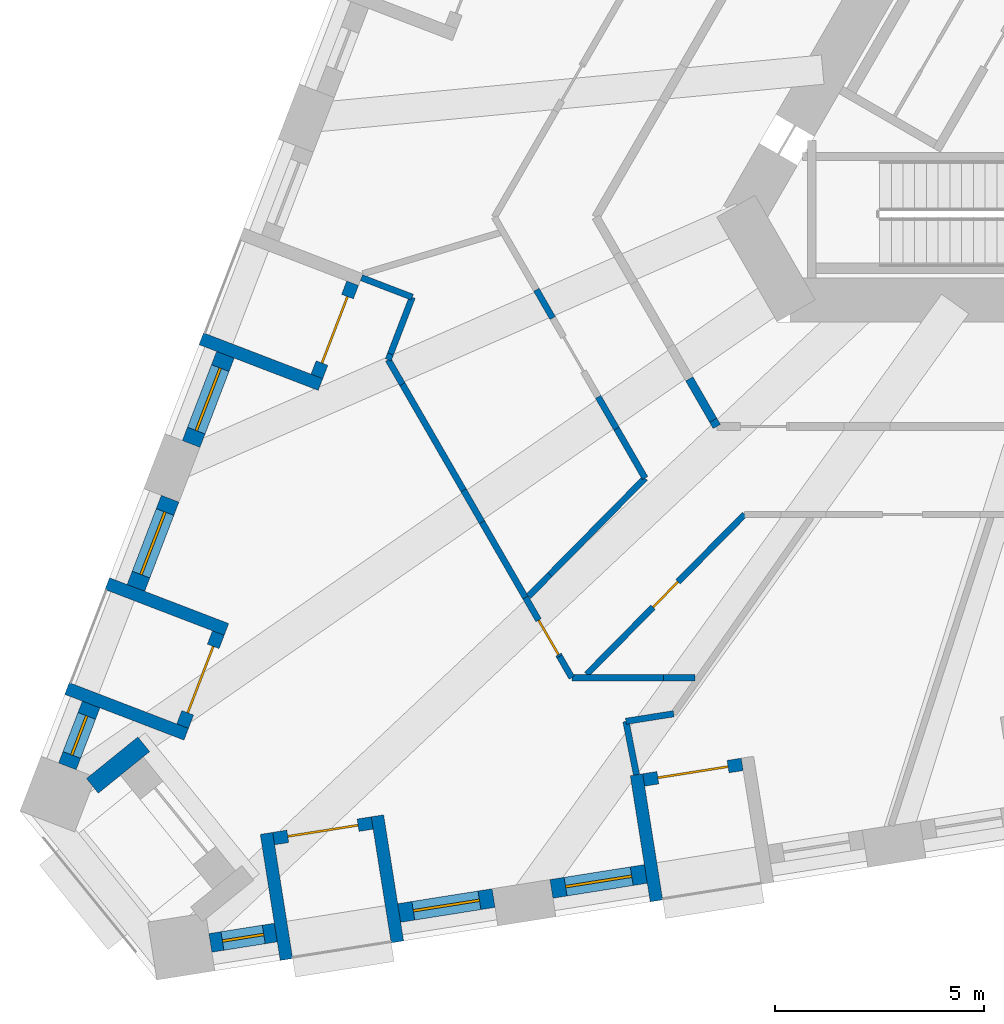
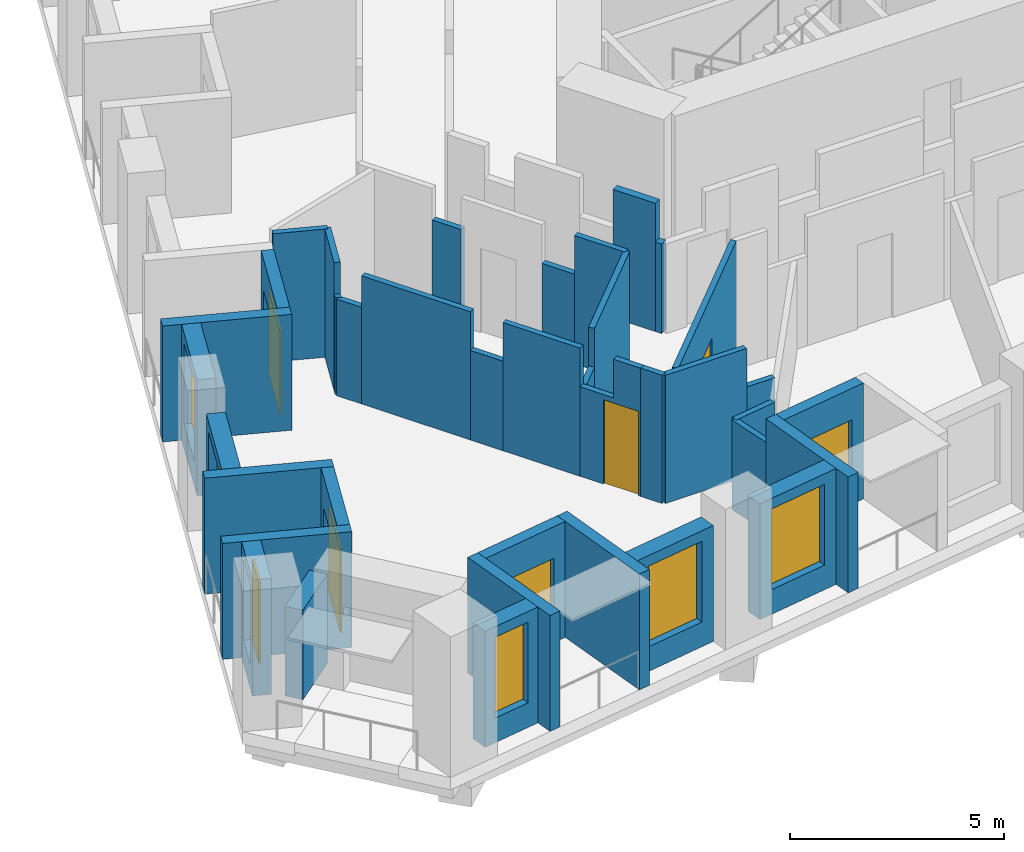
# One storey, part 2 of 14: 38 walls, 6 doors, 6 windows, 12 openings.
"""IFC4 building model written with IfcOpenShell, lengths in metres."""

from ifc_helpers import new_model, si_unit, direction, frame, frame_2d, origin, place, context, subcontext, project, spatial, polyline, rectangle, outline, extrude, material, layer, layer_set, type_object, element, fill, save


model = new_model("IFC4")

# Units and contexts
model_context = context("Model", 3, precision=1e-05, world=origin(), true_north=direction((0.0, 1.0)))
body_context = subcontext(model_context, "Body", "Model", "MODEL_VIEW")
ifc_project = project(units=[si_unit("LENGTHUNIT", "METRE"), si_unit("AREAUNIT", "SQUARE_METRE"), si_unit("VOLUMEUNIT", "CUBIC_METRE"), si_unit("PLANEANGLEUNIT", "RADIAN"), si_unit("MASSUNIT", "GRAM", prefix="KILO")], contexts=[model_context])

# Site, building, storey
site_placement = place(None, origin())
site = spatial("IfcSite", under=ifc_project, at=site_placement, CompositionType="ELEMENT")
building_placement = place(site_placement, origin())
building = spatial("IfcBuilding", under=site, at=building_placement, Name="Tramontana Tower", CompositionType="ELEMENT")
storey_placement = place(building_placement, frame((0.0, 0.0, 75.199951171875)))
storey = spatial("IfcBuildingStorey", under=building, at=storey_placement, Name="L16", CompositionType="ELEMENT", Elevation=75.199951171875)

# Walls
ifc_material_1 = material(Name="Blockwork", Category="masonry")
ifc_layer_1 = layer(ifc_material_1, 0.199951171875)
ifc_layer_set_1 = layer_set([ifc_layer_1], Name="ENTRY WALL 200")
wall_type_1 = type_object("IfcWallType", Name="ENTRY WALL 200", PredefinedType="SOLIDWALL", material=ifc_layer_set_1)
wall_1_placement = place(storey_placement, frame((-10.248046875, -9.25, 0.0), z_axis=(0.0, 0.0, 1.0), x_axis=(-0.499516518495, 0.866304362075, 0.0)))
element("IfcWall", 1, at=wall_1_placement, inside=storey, type_object=wall_type_1, Name="Wall v12-ew3-0", PredefinedType="SOLIDWALL", context=body_context, shape_type="SweptSolid", body=[
    extrude(rectangle(XDim=0.171142578125, YDim=0.199951171875, at=frame_2d((0.08544921875, 0.0))), origin(), (0.0, 0.0, 1.0), 2.550048828125),
])
wall_2_placement = place(storey_placement, frame((-10.33349609375, -9.101806640625, 0.0), z_axis=(0.0, 0.0, 1.0), x_axis=(-0.500049527193, 0.865996807358, 0.0)))
element("IfcWall", 2, at=wall_2_placement, inside=storey, type_object=wall_type_1, Name="Wall v12-ew3-1", PredefinedType="SOLIDWALL", context=body_context, shape_type="SweptSolid", body=[
    extrude(rectangle(XDim=1.1416015625, YDim=0.199951171875, at=frame_2d((0.57080078125, 0.0))), origin(), (0.0, 0.0, 1.0), 3.650146484375),
])

# Wall, opening, window
ifc_material_2 = material(Name="Precast concrete 60 MPa", Category="concrete")
ifc_layer_2 = layer(ifc_material_2, 0.449951171875)
ifc_layer_set_2 = layer_set([ifc_layer_2], Name="Precast concrete 60 MPa, 450 mm")
wall_type_2 = type_object("IfcWallType", Name="EW1 Stone-faced precast wall 450", PredefinedType="SOLIDWALL", material=ifc_layer_set_2)
wall_3_placement = place(storey_placement, frame((-21.986083984375, -7.536376953125, 0.0), z_axis=(0.0, 0.0, 1.0), x_axis=(-0.358355550725, -0.933585185864, 0.0)))
wall_3 = element("IfcWall", 3, at=wall_3_placement, inside=storey, type_object=wall_type_2, Name="External wall L16 face 0 bay 5", PredefinedType="SOLIDWALL", context=body_context, shape_type="SweptSolid", body=[
    extrude(rectangle(XDim=2.282958984375, YDim=0.449951171875, at=frame_2d((1.1416015625, 0.0))), origin(), (0.0, 0.0, 1.0), 3.300048828125),
])
opening_1_placement = place(wall_3_placement, frame((0.341552734375, 0.0, 0.699951171875)))
opening_1 = element("IfcOpeningElement", 4, at=opening_1_placement, cuts=wall_3, Name="Opening M1", PredefinedType="OPENING", context=body_context, shape_type="SweptSolid", body=[
    extrude(rectangle(XDim=1.60009765625, YDim=2.300048828125, at=frame_2d((0.800048828125, 1.14990234375))), frame((0.0, 0.23486328125, 0.0), z_axis=(0.0, -1.0, 0.0), x_axis=(1.0, 0.0, 0.0)), (0.0, 0.0, 1.0), 0.469970703125),
])
ifc_material_3 = material(Name="Aluminum frame, double glazing unit", Category="aluminium")
window_type_1 = type_object("IfcWindowType", Name="M1 Window 1.6 x 2.3", PartitioningType="SINGLE_PANEL", PredefinedType="WINDOW", material=ifc_material_3)
window_1_placement = place(opening_1_placement, origin())
window_1 = element("IfcWindow", 5, at=window_1_placement, inside=storey, type_object=window_type_1, Name="Window M1 L16 face 0 module 15", OverallHeight=2.300048828125, OverallWidth=1.60009765625, PartitioningType="SINGLE_PANEL", PredefinedType="WINDOW", context=body_context, shape_type="SweptSolid", body=[
    extrude(rectangle(XDim=1.60009765625, YDim=2.300048828125, at=frame_2d((0.800048828125, 1.14990234375))), frame((0.0, 0.030029296875, 0.0), z_axis=(0.0, -1.0, 0.0), x_axis=(1.0, 0.0, 0.0)), (0.0, 0.0, 1.0), 0.06005859375),
])
fill(opening_1, window_1)

wall_4_placement = place(storey_placement, frame((-23.305908203125, -10.974609375, 0.0), z_axis=(0.0, 0.0, 1.0), x_axis=(-0.358355550725, -0.933585185864, 0.0)))
wall_4 = element("IfcWall", 6, at=wall_4_placement, inside=storey, type_object=wall_type_2, Name="External wall L16 face 0 bay 6", PredefinedType="SOLIDWALL", context=body_context, shape_type="SweptSolid", body=[
    extrude(rectangle(XDim=2.282958984375, YDim=0.449951171875, at=frame_2d((1.1416015625, 0.0))), origin(), (0.0, 0.0, 1.0), 3.300048828125),
])
opening_2_placement = place(wall_4_placement, frame((0.341552734375, 0.0, 0.699951171875)))
opening_2 = element("IfcOpeningElement", 7, at=opening_2_placement, cuts=wall_4, Name="Opening M1", PredefinedType="OPENING", context=body_context, shape_type="SweptSolid", body=[
    extrude(rectangle(XDim=1.60009765625, YDim=2.300048828125, at=frame_2d((0.800048828125, 1.14990234375))), frame((0.0, 0.23486328125, 0.0), z_axis=(0.0, -1.0, 0.0), x_axis=(1.0, 0.0, 0.0)), (0.0, 0.0, 1.0), 0.469970703125),
])
window_2_placement = place(opening_2_placement, origin())
window_2 = element("IfcWindow", 8, at=window_2_placement, inside=storey, type_object=window_type_1, Name="Window M1 L16 face 0 module 16", OverallHeight=2.300048828125, OverallWidth=1.60009765625, PartitioningType="SINGLE_PANEL", PredefinedType="WINDOW", context=body_context, shape_type="SweptSolid", body=[
    extrude(rectangle(XDim=1.60009765625, YDim=2.300048828125, at=frame_2d((0.800048828125, 1.14990234375))), frame((0.0, 0.030029296875, 0.0), z_axis=(0.0, -1.0, 0.0), x_axis=(1.0, 0.0, 0.0)), (0.0, 0.0, 1.0), 0.06005859375),
])
fill(opening_2, window_2)

wall_5_placement = place(storey_placement, frame((-25.193115234375, -15.890869140625, 0.0), z_axis=(0.0, 0.0, 1.0), x_axis=(-0.358431261356, -0.933556120907, 0.0)))
wall_5 = element("IfcWall", 9, at=wall_5_placement, inside=storey, type_object=wall_type_2, Name="External wall L16 face 0 bay 6", PredefinedType="SOLIDWALL", context=body_context, shape_type="SweptSolid", body=[
    extrude(rectangle(XDim=1.5830078125, YDim=0.449951171875, at=frame_2d((0.79150390625, 0.0))), origin(), (0.0, 0.0, 1.0), 3.300048828125),
])
opening_3_placement = place(wall_5_placement, frame((0.29150390625, 0.0, 0.699951171875)))
opening_3 = element("IfcOpeningElement", 10, at=opening_3_placement, cuts=wall_5, Name="Opening N1", PredefinedType="OPENING", context=body_context, shape_type="SweptSolid", body=[
    extrude(rectangle(XDim=1.0, YDim=2.300048828125, at=frame_2d((0.5, 1.14990234375))), frame((0.0, 0.23486328125, 0.0), z_axis=(0.0, -1.0, 0.0), x_axis=(1.0, 0.0, 0.0)), (0.0, 0.0, 1.0), 0.469970703125),
])
ifc_material_4 = material(Name="Aluminum frame, double glazing unit", Category="aluminium")
window_type_2 = type_object("IfcWindowType", Name="N1 Window 1 x 2.3", PartitioningType="SINGLE_PANEL", PredefinedType="WINDOW", material=ifc_material_4)
window_3_placement = place(opening_3_placement, origin())
window_3 = element("IfcWindow", 11, at=window_3_placement, inside=storey, type_object=window_type_2, Name="Window N1 L16 face 0 module 18", OverallHeight=2.300048828125, OverallWidth=1.0, PartitioningType="SINGLE_PANEL", PredefinedType="WINDOW", context=body_context, shape_type="SweptSolid", body=[
    extrude(rectangle(XDim=1.0, YDim=2.300048828125, at=frame_2d((0.5, 1.14990234375))), frame((0.0, 0.030029296875, 0.0), z_axis=(0.0, -1.0, 0.0), x_axis=(1.0, 0.0, 0.0)), (0.0, 0.0, 1.0), 0.06005859375),
])
fill(opening_3, window_3)

wall_6_placement = place(storey_placement, frame((-22.344970703125, -21.586181640625, 0.0), z_axis=(0.0, 0.0, 1.0), x_axis=(0.987695344573, 0.156390237257, 0.0)))
wall_6 = element("IfcWall", 12, at=wall_6_placement, inside=storey, type_object=wall_type_2, Name="External wall L16 face 1 bay 1", PredefinedType="SOLIDWALL", context=body_context, shape_type="SweptSolid", body=[
    extrude(rectangle(XDim=1.5830078125, YDim=0.449951171875, at=frame_2d((0.79150390625, 0.0))), origin(), (0.0, 0.0, 1.0), 3.300048828125),
])
opening_4_placement = place(wall_6_placement, frame((0.29150390625, 0.0, 0.699951171875)))
opening_4 = element("IfcOpeningElement", 13, at=opening_4_placement, cuts=wall_6, Name="Opening N1", PredefinedType="OPENING", context=body_context, shape_type="SweptSolid", body=[
    extrude(rectangle(XDim=1.0, YDim=2.300048828125, at=frame_2d((0.5, 1.14990234375))), frame((0.0, 0.23486328125, 0.0), z_axis=(0.0, -1.0, 0.0), x_axis=(1.0, 0.0, 0.0)), (0.0, 0.0, 1.0), 0.469970703125),
])
window_4_placement = place(opening_4_placement, origin())
window_4 = element("IfcWindow", 14, at=window_4_placement, inside=storey, type_object=window_type_2, Name="Window N1 L16 face 1 module 1", OverallHeight=2.300048828125, OverallWidth=1.0, PartitioningType="SINGLE_PANEL", PredefinedType="WINDOW", context=body_context, shape_type="SweptSolid", body=[
    extrude(rectangle(XDim=1.0, YDim=2.300048828125, at=frame_2d((0.5, 1.14990234375))), frame((0.0, 0.030029296875, 0.0), z_axis=(0.0, -1.0, 0.0), x_axis=(1.0, 0.0, 0.0)), (0.0, 0.0, 1.0), 0.06005859375),
])
fill(opening_4, window_4)

wall_7_placement = place(storey_placement, frame((-17.835205078125, -20.8720703125, 0.0), z_axis=(0.0, 0.0, 1.0), x_axis=(0.987685675151, 0.156451293065, 0.0)))
wall_7 = element("IfcWall", 15, at=wall_7_placement, inside=storey, type_object=wall_type_2, Name="External wall L16 face 1 bay 1", PredefinedType="SOLIDWALL", context=body_context, shape_type="SweptSolid", body=[
    extrude(rectangle(XDim=2.282958984375, YDim=0.449951171875, at=frame_2d((1.1416015625, 0.0))), origin(), (0.0, 0.0, 1.0), 3.300048828125),
])
opening_5_placement = place(wall_7_placement, frame((0.341552734375, 0.0, 0.699951171875)))
opening_5 = element("IfcOpeningElement", 16, at=opening_5_placement, cuts=wall_7, Name="Opening M1", PredefinedType="OPENING", context=body_context, shape_type="SweptSolid", body=[
    extrude(rectangle(XDim=1.60009765625, YDim=2.300048828125, at=frame_2d((0.800048828125, 1.14990234375))), frame((0.0, 0.23486328125, 0.0), z_axis=(0.0, -1.0, 0.0), x_axis=(1.0, 0.0, 0.0)), (0.0, 0.0, 1.0), 0.469970703125),
])
window_5_placement = place(opening_5_placement, origin())
window_5 = element("IfcWindow", 17, at=window_5_placement, inside=storey, type_object=window_type_1, Name="Window M1 L16 face 1 module 3", OverallHeight=2.300048828125, OverallWidth=1.60009765625, PartitioningType="SINGLE_PANEL", PredefinedType="WINDOW", context=body_context, shape_type="SweptSolid", body=[
    extrude(rectangle(XDim=1.60009765625, YDim=2.300048828125, at=frame_2d((0.800048828125, 1.14990234375))), frame((0.0, 0.030029296875, 0.0), z_axis=(0.0, -1.0, 0.0), x_axis=(1.0, 0.0, 0.0)), (0.0, 0.0, 1.0), 0.06005859375),
])
fill(opening_5, window_5)

wall_8_placement = place(storey_placement, frame((-14.19775390625, -20.2958984375, 0.0), z_axis=(0.0, 0.0, 1.0), x_axis=(0.987685675151, 0.156451293065, 0.0)))
wall_8 = element("IfcWall", 18, at=wall_8_placement, inside=storey, type_object=wall_type_2, Name="External wall L16 face 1 bay 2", PredefinedType="SOLIDWALL", context=body_context, shape_type="SweptSolid", body=[
    extrude(rectangle(XDim=2.282958984375, YDim=0.449951171875, at=frame_2d((1.1416015625, 0.0))), origin(), (0.0, 0.0, 1.0), 3.300048828125),
])
opening_6_placement = place(wall_8_placement, frame((0.341552734375, 0.0, 0.699951171875)))
opening_6 = element("IfcOpeningElement", 19, at=opening_6_placement, cuts=wall_8, Name="Opening M1", PredefinedType="OPENING", context=body_context, shape_type="SweptSolid", body=[
    extrude(rectangle(XDim=1.60009765625, YDim=2.300048828125, at=frame_2d((0.800048828125, 1.14990234375))), frame((0.0, 0.23486328125, 0.0), z_axis=(0.0, -1.0, 0.0), x_axis=(1.0, 0.0, 0.0)), (0.0, 0.0, 1.0), 0.469970703125),
])
window_6_placement = place(opening_6_placement, origin())
window_6 = element("IfcWindow", 20, at=window_6_placement, inside=storey, type_object=window_type_1, Name="Window M1 L16 face 1 module 4", OverallHeight=2.300048828125, OverallWidth=1.60009765625, PartitioningType="SINGLE_PANEL", PredefinedType="WINDOW", context=body_context, shape_type="SweptSolid", body=[
    extrude(rectangle(XDim=1.60009765625, YDim=2.300048828125, at=frame_2d((0.800048828125, 1.14990234375))), frame((0.0, 0.030029296875, 0.0), z_axis=(0.0, -1.0, 0.0), x_axis=(1.0, 0.0, 0.0)), (0.0, 0.0, 1.0), 0.06005859375),
])
fill(opening_6, window_6)

# Wall
wall_9_placement = place(storey_placement, frame((-25.162841796875, -17.835205078125, 0.0), z_axis=(0.0, 0.0, 1.0), x_axis=(0.777129655516, 0.629340526677, 0.0)))
element("IfcWall", 21, at=wall_9_placement, inside=storey, type_object=wall_type_2, Name="Corner loggia side wall L16 K11r", PredefinedType="SOLIDWALL", context=body_context, shape_type="SweptSolid", body=[
    extrude(rectangle(XDim=1.579345703125, YDim=0.449951171875, at=frame_2d((0.78955078125, 0.0))), origin(), (0.0, 0.0, 1.0), 2.550048828125),
])

# Wall, opening, door
ifc_material_5 = material(Name="Precast concrete 60 MPa", Category="concrete")
ifc_layer_3 = layer(ifc_material_5, 0.300048828125)
ifc_layer_set_3 = layer_set([ifc_layer_3], Name="LW1 Stone-faced loggia wall 300")
wall_type_3 = type_object("IfcWallType", Name="LW1 Stone-faced loggia wall 300", PredefinedType="SOLIDWALL", material=ifc_layer_set_3)
wall_10_placement = place(storey_placement, frame((-18.947265625, -5.828857421875, 0.0), z_axis=(0.0, 0.0, 1.0), x_axis=(-0.358354292693, -0.933585668757, 0.0)))
wall_10 = element("IfcWall", 22, at=wall_10_placement, inside=storey, type_object=wall_type_3, Name="Loggia wall L16 G1S0.13", PredefinedType="SOLIDWALL", context=body_context, shape_type="SweptSolid", body=[
    extrude(rectangle(XDim=2.383056640625, YDim=0.300048828125, at=frame_2d((1.19140625, 0.0))), origin(), (0.0, 0.0, 1.0), 3.300048828125),
])
opening_7_placement = place(wall_10_placement, frame((0.341552734375, 0.0, 0.0)))
opening_7 = element("IfcOpeningElement", 23, at=opening_7_placement, cuts=wall_10, Name="Opening BD-1S0-13", PredefinedType="OPENING", context=body_context, shape_type="SweptSolid", body=[
    extrude(rectangle(XDim=1.699951171875, YDim=2.39990234375, at=frame_2d((0.85009765625, 1.199951171875))), frame((0.0, 0.159912109375, 0.0), z_axis=(0.0, -1.0, 0.0), x_axis=(1.0, 0.0, 0.0)), (0.0, 0.0, 1.0), 0.320068359375),
])
ifc_material_6 = material(Name="Aluminum frame, double glazing unit", Category="aluminium")
door_type_1 = type_object("IfcDoorType", Name="BD1 Sliding door 1.7 x 2.4", OperationType="SLIDING_TO_LEFT", PredefinedType="DOOR", material=ifc_material_6)
door_1_placement = place(opening_7_placement, origin())
door_1 = element("IfcDoor", 24, at=door_1_placement, inside=storey, type_object=door_type_1, Name="Loggia door L16 G1S0.13", OperationType="SLIDING_TO_LEFT", OverallHeight=2.39990234375, OverallWidth=1.699951171875, PredefinedType="DOOR", context=body_context, shape_type="SweptSolid", body=[
    extrude(rectangle(XDim=1.699951171875, YDim=2.39990234375, at=frame_2d((0.85009765625, 1.199951171875))), frame((0.0, 0.02490234375, 0.0), z_axis=(0.0, -1.0, 0.0), x_axis=(1.0, 0.0, 0.0)), (0.0, 0.0, 1.0), 0.050048828125),
])
fill(opening_7, door_1)

# Wall
wall_11_placement = place(storey_placement, frame((-22.5625, -7.154296875, 0.0), z_axis=(0.0, 0.0, 1.0), x_axis=(0.933580593625, -0.358367514161, 0.0)))
element("IfcWall", 25, at=wall_11_placement, inside=storey, type_object=wall_type_3, Name="Loggia return L16 G1S0.13b", PredefinedType="SOLIDWALL", context=body_context, shape_type="SweptSolid", body=[
    extrude(rectangle(XDim=3.050048828125, YDim=0.300048828125, at=frame_2d((1.52490234375, 0.0))), origin(), (0.0, 0.0, 1.0), 3.300048828125),
])

# Wall, opening, door
wall_12_placement = place(storey_placement, frame((-22.154296875, -14.18359375, 0.0), z_axis=(0.0, 0.0, 1.0), x_axis=(-0.35838856932, -0.933572511046, 0.0)))
wall_12 = element("IfcWall", 26, at=wall_12_placement, inside=storey, type_object=wall_type_3, Name="Loggia wall L16 G1S0.16", PredefinedType="SOLIDWALL", context=body_context, shape_type="SweptSolid", body=[
    extrude(rectangle(XDim=2.3828125, YDim=0.300048828125, at=frame_2d((1.19140625, 0.0))), origin(), (0.0, 0.0, 1.0), 3.300048828125),
])
opening_8_placement = place(wall_12_placement, frame((0.341552734375, 0.0, 0.0)))
opening_8 = element("IfcOpeningElement", 27, at=opening_8_placement, cuts=wall_12, Name="Opening BD-1S0-16", PredefinedType="OPENING", context=body_context, shape_type="SweptSolid", body=[
    extrude(rectangle(XDim=1.699951171875, YDim=2.39990234375, at=frame_2d((0.85009765625, 1.199951171875))), frame((0.0, 0.159912109375, 0.0), z_axis=(0.0, -1.0, 0.0), x_axis=(1.0, 0.0, 0.0)), (0.0, 0.0, 1.0), 0.320068359375),
])
door_2_placement = place(opening_8_placement, origin())
door_2 = element("IfcDoor", 28, at=door_2_placement, inside=storey, type_object=door_type_1, Name="Loggia door L16 G1S0.16", OperationType="SLIDING_TO_LEFT", OverallHeight=2.39990234375, OverallWidth=1.699951171875, PredefinedType="DOOR", context=body_context, shape_type="SweptSolid", body=[
    extrude(rectangle(XDim=1.699951171875, YDim=2.39990234375, at=frame_2d((0.85009765625, 1.199951171875))), frame((0.0, 0.02490234375, 0.0), z_axis=(0.0, -1.0, 0.0), x_axis=(1.0, 0.0, 0.0)), (0.0, 0.0, 1.0), 0.050048828125),
])
fill(opening_8, door_2)

# Walls
for number, where, z_axis, x_axis, name in (
    (29, (-24.80810546875, -13.004150390625, 0.0), (0.0, 0.0, 1.0), (0.933580593625, -0.358367514161, 0.0), "Loggia return L16 G1S0.16a"),
    (30, (-25.76953125, -15.509033203125, 0.0), (0.0, 0.0, 1.0), (0.933580593625, -0.358367514161, 0.0), "Loggia return L16 G1S0.16b"),
):
    element("IfcWall", number, at=place(storey_placement, frame(where, z_axis=z_axis, x_axis=x_axis)), inside=storey, type_object=wall_type_3, Name=name, PredefinedType="SOLIDWALL", context=body_context, shape_type="SweptSolid", body=[
        extrude(rectangle(XDim=3.050048828125, YDim=0.300048828125, at=frame_2d((1.52490234375, 0.0))), origin(), (0.0, 0.0, 1.0), 3.300048828125),
    ])

# Wall, opening, door
wall_13_placement = place(storey_placement, frame((-20.833251953125, -19.09423828125, 0.0), z_axis=(0.0, 0.0, 1.0), x_axis=(0.987685586014, 0.156451855793, 0.0)))
wall_13 = element("IfcWall", 31, at=wall_13_placement, inside=storey, type_object=wall_type_3, Name="Loggia wall L16 G1S1.1", PredefinedType="SOLIDWALL", context=body_context, shape_type="SweptSolid", body=[
    extrude(rectangle(XDim=2.3828125, YDim=0.300048828125, at=frame_2d((1.19140625, 0.0))), origin(), (0.0, 0.0, 1.0), 3.300048828125),
])
opening_9_placement = place(wall_13_placement, frame((0.341552734375, 0.0, 0.0)))
opening_9 = element("IfcOpeningElement", 32, at=opening_9_placement, cuts=wall_13, Name="Opening BD-1S1-01", PredefinedType="OPENING", context=body_context, shape_type="SweptSolid", body=[
    extrude(rectangle(XDim=1.699951171875, YDim=2.39990234375, at=frame_2d((0.85009765625, 1.199951171875))), frame((0.0, 0.159912109375, 0.0), z_axis=(0.0, -1.0, 0.0), x_axis=(1.0, 0.0, 0.0)), (0.0, 0.0, 1.0), 0.320068359375),
])
door_3_placement = place(opening_9_placement, origin())
door_3 = element("IfcDoor", 33, at=door_3_placement, inside=storey, type_object=door_type_1, Name="Loggia door L16 G1S1.1", OperationType="SLIDING_TO_LEFT", OverallHeight=2.39990234375, OverallWidth=1.699951171875, PredefinedType="DOOR", context=body_context, shape_type="SweptSolid", body=[
    extrude(rectangle(XDim=1.699951171875, YDim=2.39990234375, at=frame_2d((0.85009765625, 1.199951171875))), frame((0.0, 0.02490234375, 0.0), z_axis=(0.0, -1.0, 0.0), x_axis=(1.0, 0.0, 0.0)), (0.0, 0.0, 1.0), 0.050048828125),
])
fill(opening_9, door_3)

# Walls
for number, where, z_axis, x_axis, name in (
    (34, (-20.52783203125, -21.98193359375, 0.0), (0.0, 0.0, 1.0), (-0.156410600741, 0.987692120033, 0.0), "Loggia return L16 G1S1.1a"),
    (35, (-17.8779296875, -21.562255859375, 0.0), (0.0, 0.0, 1.0), (-0.156410600741, 0.987692120033, 0.0), "Loggia return L16 G1S1.1b"),
):
    element("IfcWall", number, at=place(storey_placement, frame(where, z_axis=z_axis, x_axis=x_axis)), inside=storey, type_object=wall_type_3, Name=name, PredefinedType="SOLIDWALL", context=body_context, shape_type="SweptSolid", body=[
        extrude(rectangle(XDim=3.050048828125, YDim=0.300048828125, at=frame_2d((1.52490234375, 0.0))), origin(), (0.0, 0.0, 1.0), 3.300048828125),
    ])

# Wall, opening, door
wall_14_placement = place(storey_placement, frame((-11.99462890625, -17.694091796875, 0.0), z_axis=(0.0, 0.0, 1.0), x_axis=(0.98770391772, 0.156336083232, 0.0)))
wall_14 = element("IfcWall", 36, at=wall_14_placement, inside=storey, type_object=wall_type_3, Name="Loggia wall L16 G1S1.4", PredefinedType="SOLIDWALL", context=body_context, shape_type="SweptSolid", body=[
    extrude(rectangle(XDim=2.383056640625, YDim=0.300048828125, at=frame_2d((1.19140625, 0.0))), origin(), (0.0, 0.0, 1.0), 3.300048828125),
])
opening_10_placement = place(wall_14_placement, frame((0.341552734375, 0.0, 0.0)))
opening_10 = element("IfcOpeningElement", 37, at=opening_10_placement, cuts=wall_14, Name="Opening BD-1S1-04", PredefinedType="OPENING", context=body_context, shape_type="SweptSolid", body=[
    extrude(rectangle(XDim=1.699951171875, YDim=2.39990234375, at=frame_2d((0.85009765625, 1.199951171875))), frame((0.0, 0.159912109375, 0.0), z_axis=(0.0, -1.0, 0.0), x_axis=(1.0, 0.0, 0.0)), (0.0, 0.0, 1.0), 0.320068359375),
])
door_4_placement = place(opening_10_placement, origin())
door_4 = element("IfcDoor", 38, at=door_4_placement, inside=storey, type_object=door_type_1, Name="Loggia door L16 G1S1.4", OperationType="SLIDING_TO_LEFT", OverallHeight=2.39990234375, OverallWidth=1.699951171875, PredefinedType="DOOR", context=body_context, shape_type="SweptSolid", body=[
    extrude(rectangle(XDim=1.699951171875, YDim=2.39990234375, at=frame_2d((0.85009765625, 1.199951171875))), frame((0.0, 0.02490234375, 0.0), z_axis=(0.0, -1.0, 0.0), x_axis=(1.0, 0.0, 0.0)), (0.0, 0.0, 1.0), 0.050048828125),
])
fill(opening_10, door_4)

# Walls
wall_15_placement = place(storey_placement, frame((-11.68896484375, -20.58203125, 0.0), z_axis=(0.0, 0.0, 1.0), x_axis=(-0.156488687365, 0.987679751097, 0.0)))
element("IfcWall", 39, at=wall_15_placement, inside=storey, type_object=wall_type_3, Name="Loggia return L16 G1S1.4a", PredefinedType="SOLIDWALL", context=body_context, shape_type="SweptSolid", body=[
    extrude(rectangle(XDim=3.050048828125, YDim=0.300048828125, at=frame_2d((1.52490234375, 0.0))), origin(), (0.0, 0.0, 1.0), 3.300048828125),
])
ifc_material_7 = material(Name="Gypsum board partition")
ifc_layer_4 = layer(ifc_material_7, 0.14990234375)
ifc_layer_set_4 = layer_set([ifc_layer_4], Name="PARTITION 150")
wall_type_4 = type_object("IfcWallType", Name="PARTITION 150", PredefinedType="PARTITIONING", material=ifc_layer_set_4)
wall_16_placement = place(storey_placement, frame((-18.095703125, -7.6572265625, 0.0), z_axis=(0.0, 0.0, 1.0), x_axis=(0.357769069642, 0.933810094616, 0.0)))
element("IfcWall", 40, at=wall_16_placement, inside=storey, type_object=wall_type_4, Name="Wall v12-pw01-0", PredefinedType="PARTITIONING", context=body_context, shape_type="SweptSolid", body=[
    extrude(rectangle(XDim=0.148681640625, YDim=0.14990234375, at=frame_2d((0.07421875, 0.0))), origin(), (0.0, 0.0, 1.0), 2.75),
])
wall_17_placement = place(storey_placement, frame((-18.04248046875, -7.518310546875, 0.0), z_axis=(0.0, 0.0, 1.0), x_axis=(0.358358926924, 0.933583889907, 0.0)))
element("IfcWall", 41, at=wall_17_placement, inside=storey, type_object=wall_type_4, Name="Wall v12-pw01-1", PredefinedType="PARTITIONING", context=body_context, shape_type="SweptSolid", body=[
    extrude(rectangle(XDim=1.451171875, YDim=0.14990234375, at=frame_2d((0.7255859375, 0.0))), origin(), (0.0, 0.0, 1.0), 3.650146484375),
])
wall_18_placement = place(storey_placement, frame((-17.523681640625, -6.1611328125, 0.0), z_axis=(0.0, 0.0, 1.0), x_axis=(-0.933549030412, 0.358449728438, 0.0)))
element("IfcWall", 42, at=wall_18_placement, inside=storey, type_object=wall_type_4, Name="Wall v12-pw02", PredefinedType="PARTITIONING", context=body_context, shape_type="SweptSolid", body=[
    extrude(rectangle(XDim=1.298095703125, YDim=0.14990234375, at=frame_2d((0.64892578125, 0.0))), origin(), (0.0, 0.0, 1.0), 3.650146484375),
])
wall_19_placement = place(storey_placement, frame((-14.7470703125, -13.307373046875, 0.0), z_axis=(0.0, 0.0, 1.0), x_axis=(0.702386148925, 0.711796106901, 0.0)))
element("IfcWall", 43, at=wall_19_placement, inside=storey, type_object=wall_type_4, Name="Wall v12-pw05-0", PredefinedType="PARTITIONING", context=body_context, shape_type="SweptSolid", body=[
    extrude(rectangle(XDim=0.7265625, YDim=0.14990234375, at=frame_2d((0.36328125, 0.0))), origin(), (0.0, 0.0, 1.0), 2.550048828125),
])
wall_20_placement = place(storey_placement, frame((-14.23681640625, -12.790283203125, 0.0), z_axis=(0.0, 0.0, 1.0), x_axis=(0.702344771422, 0.711836935018, 0.0)))
element("IfcWall", 44, at=wall_20_placement, inside=storey, type_object=wall_type_4, Name="Wall v12-pw05-1", PredefinedType="PARTITIONING", context=body_context, shape_type="SweptSolid", body=[
    extrude(rectangle(XDim=3.24072265625, YDim=0.14990234375, at=frame_2d((1.620361328125, 0.0))), origin(), (0.0, 0.0, 1.0), 3.650146484375),
])
wall_21_placement = place(storey_placement, frame((-13.712158203125, -15.25, 0.0), z_axis=(0.0, 0.0, 1.0), x_axis=(-0.499999433879, 0.866025730634, 0.0)))
element("IfcWall", 45, at=wall_21_placement, inside=storey, type_object=wall_type_4, Name="Wall v12-pw06-0", PredefinedType="PARTITIONING", context=body_context, shape_type="SweptSolid", body=[
    extrude(rectangle(XDim=0.5849609375, YDim=0.14990234375, at=frame_2d((0.29248046875, 0.0))), origin(), (0.0, 0.0, 1.0), 3.650146484375),
])

# Wall, opening, door
wall_22_placement = place(storey_placement, frame((-14.004638671875, -14.743408203125, 0.0), z_axis=(0.0, 0.0, 1.0), x_axis=(-0.499952193351, 0.866053003207, 0.0)))
wall_22 = element("IfcWall", 46, at=wall_22_placement, inside=storey, type_object=wall_type_4, Name="Wall v12-pw06-1", PredefinedType="PARTITIONING", context=body_context, shape_type="SweptSolid", body=[
    extrude(outline(polyline([(0.0, 0.0), (1.625244140625, 0.0), (1.625, 2.550048828125), (0.72607421875, 2.550048828125), (0.72607421875, 3.650146484375), (0.0, 3.650146484375), (0.0, 0.0)])), frame((0.0, 0.074951171875, 0.0), z_axis=(0.0, -1.0, 0.0), x_axis=(1.0, 0.0, 0.0)), (0.0, 0.0, 1.0), 0.14990234375),
])
opening_11_placement = place(wall_22_placement, frame((0.050048828125, 0.0, 0.0)))
opening_11 = element("IfcOpeningElement", 47, at=opening_11_placement, cuts=wall_22, Name="Opening B1C-10", PredefinedType="OPENING", context=body_context, shape_type="SweptSolid", body=[
    extrude(rectangle(XDim=0.949951171875, YDim=2.39990234375, at=frame_2d((0.47509765625, 1.199951171875))), frame((0.0, 0.0849609375, 0.0), z_axis=(0.0, -1.0, 0.0), x_axis=(1.0, 0.0, 0.0)), (0.0, 0.0, 1.0), 0.169921875),
])
ifc_material_8 = material(Name="Painted timber", Category="wood")
door_type_2 = type_object("IfcDoorType", Name="DOOR ROOM 950", OperationType="SINGLE_SWING_LEFT", PredefinedType="DOOR", material=ifc_material_8)
door_5_placement = place(opening_11_placement, origin())
door_5 = element("IfcDoor", 48, at=door_5_placement, inside=storey, type_object=door_type_2, Name="Door B1C-10", OperationType="SINGLE_SWING_RIGHT", OverallHeight=2.39990234375, OverallWidth=0.949951171875, PredefinedType="DOOR", context=body_context, shape_type="SweptSolid", body=[
    extrude(rectangle(XDim=0.949951171875, YDim=2.39990234375, at=frame_2d((0.47509765625, 1.199951171875))), frame((0.0, 0.02490234375, 0.0), z_axis=(0.0, -1.0, 0.0), x_axis=(1.0, 0.0, 0.0)), (0.0, 0.0, 1.0), 0.050048828125),
])
fill(opening_11, door_5)

# Walls
wall_23_placement = place(storey_placement, frame((-14.817138671875, -13.3359375, 0.0), z_axis=(0.0, 0.0, 1.0), x_axis=(-0.500027264788, 0.866009661879, 0.0)))
element("IfcWall", 49, at=wall_23_placement, inside=storey, type_object=wall_type_4, Name="Wall v12-pw06-2", PredefinedType="PARTITIONING", context=body_context, shape_type="SweptSolid", body=[
    extrude(rectangle(XDim=2.080078125, YDim=0.14990234375, at=frame_2d((1.0400390625, 0.0))), origin(), (0.0, 0.0, 1.0), 3.650146484375),
])
wall_24_placement = place(storey_placement, frame((-15.857177734375, -11.53466796875, 0.0), z_axis=(0.0, 0.0, 1.0), x_axis=(-0.49990697594, 0.86607910459, 0.0)))
element("IfcWall", 50, at=wall_24_placement, inside=storey, type_object=wall_type_4, Name="Wall v12-pw06-3", PredefinedType="PARTITIONING", context=body_context, shape_type="SweptSolid", body=[
    extrude(rectangle(XDim=0.878173828125, YDim=0.14990234375, at=frame_2d((0.43896484375, 0.0))), origin(), (0.0, 0.0, 1.0), 2.550048828125),
])
wall_25_placement = place(storey_placement, frame((-16.296142578125, -10.774169921875, 0.0), z_axis=(0.0, 0.0, 1.0), x_axis=(-0.499980071345, 0.866036909293, 0.0)))
element("IfcWall", 51, at=wall_25_placement, inside=storey, type_object=wall_type_4, Name="Wall v12-pw06-4", PredefinedType="PARTITIONING", context=body_context, shape_type="SweptSolid", body=[
    extrude(rectangle(XDim=2.92578125, YDim=0.14990234375, at=frame_2d((1.462890625, 0.0))), origin(), (0.0, 0.0, 1.0), 3.650146484375),
])
wall_26_placement = place(storey_placement, frame((-17.759033203125, -8.240234375, 0.0), z_axis=(0.0, 0.0, 1.0), x_axis=(-0.500078207394, 0.865980246016, 0.0)))
element("IfcWall", 52, at=wall_26_placement, inside=storey, type_object=wall_type_4, Name="Wall v12-pw06-5", PredefinedType="PARTITIONING", context=body_context, shape_type="SweptSolid", body=[
    extrude(rectangle(XDim=0.67333984375, YDim=0.14990234375, at=frame_2d((0.336669921875, 0.0))), origin(), (0.0, 0.0, 1.0), 2.75),
])
wall_27_placement = place(storey_placement, frame((-12.4189453125, -16.295166015625, 0.0), z_axis=(0.0, 0.0, 1.0), x_axis=(0.19448969742, -0.980904560902, 0.0)))
element("IfcWall", 53, at=wall_27_placement, inside=storey, type_object=wall_type_4, Name="Wall v12-pw08-0", PredefinedType="PARTITIONING", context=body_context, shape_type="SweptSolid", body=[
    extrude(rectangle(XDim=1.29931640625, YDim=0.14990234375, at=frame_2d((0.649658203125, 0.0))), origin(), (0.0, 0.0, 1.0), 2.550048828125),
])
wall_28_placement = place(storey_placement, frame((-11.960693359375, -10.4833984375, 0.0), z_axis=(0.0, 0.0, 1.0), x_axis=(-0.500032730183, 0.86600650618, 0.0)))
element("IfcWall", 54, at=wall_28_placement, inside=storey, type_object=wall_type_4, Name="Wall v12-pw10-0", PredefinedType="PARTITIONING", context=body_context, shape_type="SweptSolid", body=[
    extrude(rectangle(XDim=1.3623046875, YDim=0.14990234375, at=frame_2d((0.68115234375, 0.0))), origin(), (0.0, 0.0, 1.0), 3.650146484375),
])
wall_29_placement = place(storey_placement, frame((-12.641845703125, -9.3037109375, 0.0), z_axis=(0.0, 0.0, 1.0), x_axis=(-0.500027377864, 0.86600959659, 0.0)))
element("IfcWall", 55, at=wall_29_placement, inside=storey, type_object=wall_type_4, Name="Wall v12-pw10-1", PredefinedType="PARTITIONING", context=body_context, shape_type="SweptSolid", body=[
    extrude(rectangle(XDim=0.8779296875, YDim=0.14990234375, at=frame_2d((0.43896484375, 0.0))), origin(), (0.0, 0.0, 1.0), 2.550048828125),
])
wall_30_placement = place(storey_placement, frame((-14.168212890625, -6.659912109375, 0.0), z_axis=(0.0, 0.0, 1.0), x_axis=(-0.500011542666, 0.866018739521, 0.0)))
element("IfcWall", 56, at=wall_30_placement, inside=storey, type_object=wall_type_4, Name="Wall v12-pw10-3", PredefinedType="PARTITIONING", context=body_context, shape_type="SweptSolid", body=[
    extrude(rectangle(XDim=0.77978515625, YDim=0.14990234375, at=frame_2d((0.389892578125, 0.0))), origin(), (0.0, 0.0, 1.0), 2.75),
])
wall_31_placement = place(storey_placement, frame((-11.278076171875, -16.112548828125, 0.0), z_axis=(0.0, 0.0, 1.0), x_axis=(-0.987689053529, -0.156429963686, 0.0)))
element("IfcWall", 57, at=wall_31_placement, inside=storey, type_object=wall_type_4, Name="Wall v12-pw11-0", PredefinedType="PARTITIONING", context=body_context, shape_type="SweptSolid", body=[
    extrude(rectangle(XDim=1.1533203125, YDim=0.14990234375, at=frame_2d((0.57666015625, 0.0))), origin(), (0.0, 0.0, 1.0), 2.550048828125),
])
wall_32_placement = place(storey_placement, frame((-10.765869140625, -15.25, 0.0), z_axis=(0.0, 0.0, 1.0), x_axis=(-1.0, 0.0, 0.0)))
element("IfcWall", 58, at=wall_32_placement, inside=storey, type_object=wall_type_4, Name="Wall v12-pw12-0", PredefinedType="PARTITIONING", context=body_context, shape_type="SweptSolid", body=[
    extrude(rectangle(XDim=0.754638671875, YDim=0.14990234375, at=frame_2d((0.37744140625, 0.0))), origin(), (0.0, 0.0, 1.0), 2.550048828125),
])
wall_33_placement = place(storey_placement, frame((-11.5205078125, -15.25, 0.0), z_axis=(0.0, 0.0, 1.0), x_axis=(-1.0, 0.0, 0.0)))
element("IfcWall", 59, at=wall_33_placement, inside=storey, type_object=wall_type_4, Name="Wall v12-pw12-1", PredefinedType="PARTITIONING", context=body_context, shape_type="SweptSolid", body=[
    extrude(rectangle(XDim=2.191650390625, YDim=0.14990234375, at=frame_2d((1.095703125, 0.0))), origin(), (0.0, 0.0, 1.0), 3.650146484375),
])

# Wall, opening, door
wall_34_placement = place(storey_placement, frame((-9.58447265625, -11.35009765625, 0.0), z_axis=(0.0, 0.0, 1.0), x_axis=(-0.702388865943, -0.711793425791, 0.0)))
wall_34 = element("IfcWall", 60, at=wall_34_placement, inside=storey, type_object=wall_type_4, Name="Wall v12-pw13", PredefinedType="PARTITIONING", context=body_context, shape_type="SweptSolid", body=[
    extrude(rectangle(XDim=5.373779296875, YDim=0.14990234375, at=frame_2d((2.68701171875, 0.0))), origin(), (0.0, 0.0, 1.0), 3.650146484375),
])
opening_12_placement = place(wall_34_placement, frame((2.261962890625, 0.0, 0.0)))
opening_12 = element("IfcOpeningElement", 61, at=opening_12_placement, cuts=wall_34, Name="Opening B1C-09", PredefinedType="OPENING", context=body_context, shape_type="SweptSolid", body=[
    extrude(rectangle(XDim=0.85009765625, YDim=2.39990234375, at=frame_2d((0.425048828125, 1.199951171875))), frame((0.0, 0.0849609375, 0.0), z_axis=(0.0, -1.0, 0.0), x_axis=(1.0, 0.0, 0.0)), (0.0, 0.0, 1.0), 0.169921875),
])
ifc_material_9 = material(Name="Painted timber", Category="wood")
door_type_3 = type_object("IfcDoorType", Name="DOOR BATH 850", OperationType="SINGLE_SWING_LEFT", PredefinedType="DOOR", material=ifc_material_9)
door_6_placement = place(opening_12_placement, origin())
door_6 = element("IfcDoor", 62, at=door_6_placement, inside=storey, type_object=door_type_3, Name="Door B1C-09", OperationType="SINGLE_SWING_LEFT", OverallHeight=2.39990234375, OverallWidth=0.85009765625, PredefinedType="DOOR", context=body_context, shape_type="SweptSolid", body=[
    extrude(rectangle(XDim=0.85009765625, YDim=2.39990234375, at=frame_2d((0.425048828125, 1.199951171875))), frame((0.0, 0.02490234375, 0.0), z_axis=(0.0, -1.0, 0.0), x_axis=(1.0, 0.0, 0.0)), (0.0, 0.0, 1.0), 0.050048828125),
])
fill(opening_12, door_6)

save(model, "model.ifc")
